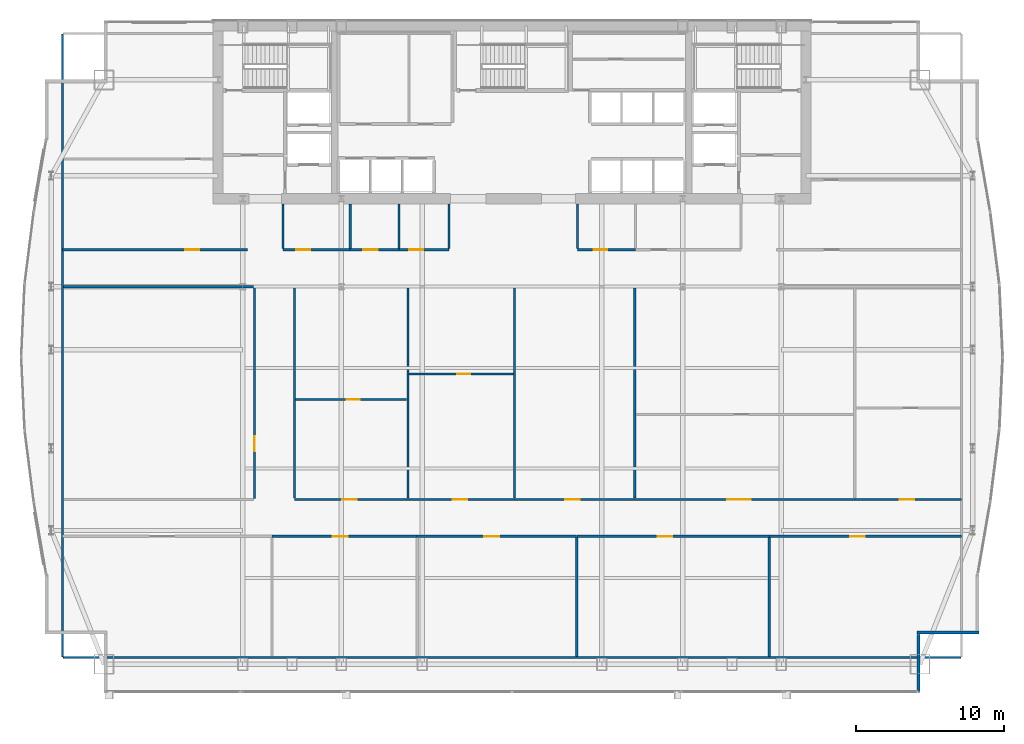
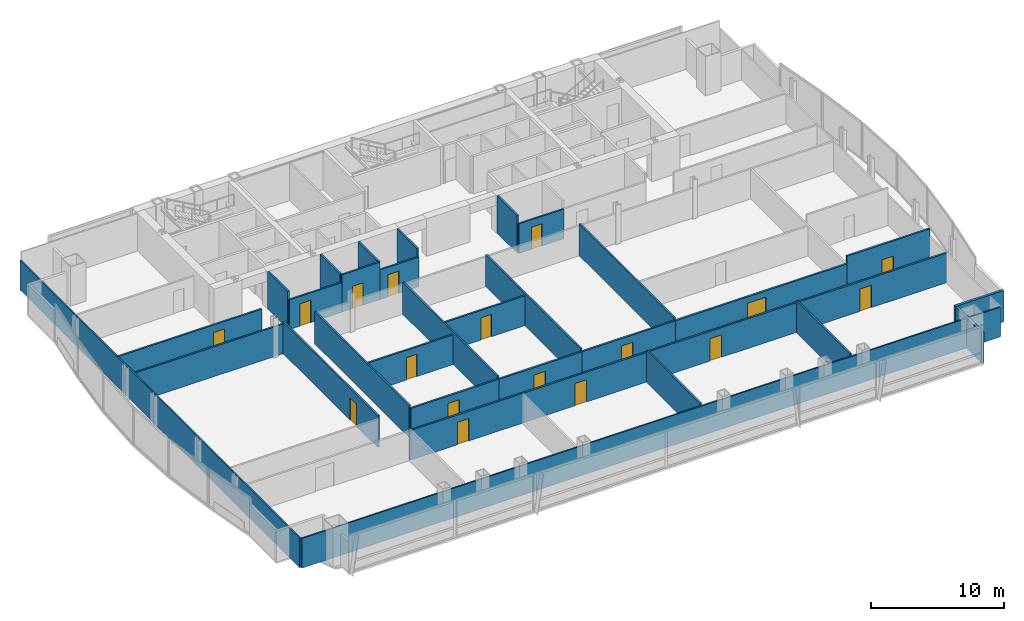
# One storey, part 24 of 29: 33 walls, 17 doors, 17 openings.
"""IFC4 building model written with IfcOpenShell, lengths in metres."""

from ifc_helpers import new_model, si_unit, direction, frame, frame_2d, origin, place, context, subcontext, project, spatial, rectangle, extrude, material, layer, layer_set, type_object, element, fill, save


model = new_model("IFC4")

# Units and contexts
model_context = context("Model", 3, precision=1e-05, world=origin(), true_north=direction((0.0, 1.0)))
body_context = subcontext(model_context, "Body", "Model", "MODEL_VIEW")
ifc_project = project(units=[si_unit("LENGTHUNIT", "METRE"), si_unit("AREAUNIT", "SQUARE_METRE"), si_unit("VOLUMEUNIT", "CUBIC_METRE"), si_unit("PLANEANGLEUNIT", "RADIAN"), si_unit("MASSUNIT", "GRAM", prefix="KILO")], contexts=[model_context])

# Site, building, storey
site_placement = place(None, origin())
site = spatial("IfcSite", under=ifc_project, at=site_placement, CompositionType="ELEMENT")
building_placement = place(site_placement, origin())
building = spatial("IfcBuilding", under=site, at=building_placement, Name="Khoronbel Lancet Exchange", CompositionType="ELEMENT")
storey_placement = place(building_placement, frame((0.0, 0.0, 150.60009765625)))
storey = spatial("IfcBuildingStorey", under=building, at=storey_placement, Name="L37", CompositionType="ELEMENT", Elevation=150.60009765625)

# Walls
ifc_material_1 = material(Name="Precast concrete C40/50", Category="concrete")
ifc_layer_1 = layer(ifc_material_1, 0.25, Name="Precast concrete C40/50")
ifc_layer_set_1 = layer_set([ifc_layer_1], Name="Precast concrete C40/50")
wall_type_1 = type_object("IfcWallType", Name="WL-EXT250", PredefinedType="SOLIDWALL", material=ifc_layer_set_1)
wall_1_placement = place(storey_placement, frame((68.070068359375, 12.2900390625, 0.0), z_axis=(0.0, 0.0, 1.0), x_axis=(-1.0, 0.0, 0.0)))
element("IfcWall", 1, at=wall_1_placement, inside=storey, type_object=wall_type_1, Name="Level L37 notched-corner limestone pier 24", PredefinedType="SOLIDWALL", context=body_context, shape_type="SweptSolid", body=[
    extrude(rectangle(XDim=4.219970703125, YDim=0.219970703125, at=frame_2d((2.10986328125, 0.0))), origin(), (0.0, 0.0, 1.0), 2.829833984375),
])
wall_2_placement = place(storey_placement, frame((63.9599609375, 12.179931640625, 0.0), z_axis=(0.0, 0.0, 1.0), x_axis=(0.0, -1.0, 0.0)))
element("IfcWall", 2, at=wall_2_placement, inside=storey, type_object=wall_type_1, Name="Level L37 notched-corner limestone pier 25", PredefinedType="SOLIDWALL", context=body_context, shape_type="SweptSolid", body=[
    extrude(rectangle(XDim=3.909912109375, YDim=0.219970703125, at=frame_2d((1.955078125, 0.0))), origin(), (0.0, 0.0, 1.0), 2.829833984375),
])
ifc_material_2 = material(Name="Acoustic Metal-Stud & Mineral-Wool Gypsum Partition 120 mm", Category="gypsum")
ifc_layer_2 = layer(ifc_material_2, 0.1201171875, Name="Acoustic Metal-Stud & Mineral-Wool Gypsum Partition 120 mm")
ifc_layer_set_2 = layer_set([ifc_layer_2], Name="Acoustic Metal-Stud & Mineral-Wool Gypsum Partition 120 mm")
wall_type_2 = type_object("IfcWallType", Name="WL-PRT120", PredefinedType="PARTITIONING", material=ifc_layer_set_2)
for number, where, z_axis, x_axis, name in (
    (3, (20.949951171875, 38.280029296875, 0.0), (0.0, 0.0, 1.0), (0.0, 1.0, 0.0), "Level L37 interior partition PW-WC-0"),
    (4, (25.5, 38.280029296875, 0.0), (0.0, 0.0, 1.0), (0.0, 1.0, 0.0), "Level L37 interior partition PW-WC-1"),
    (5, (28.800048828125, 38.280029296875, 0.0), (0.0, 0.0, 1.0), (0.0, 1.0, 0.0), "Level L37 interior partition PW-WC-2"),
    (6, (32.179931640625, 38.280029296875, 0.0), (0.0, 0.0, 1.0), (0.0, 1.0, 0.0), "Level L37 interior partition PW-WC-3"),
    (7, (40.8798828125, 38.280029296875, 0.0), (0.0, 0.0, 1.0), (0.0, 1.0, 0.0), "Level L37 interior partition PW-NP-0"),
):
    element("IfcWall", number, at=place(storey_placement, frame(where, z_axis=z_axis, x_axis=x_axis)), inside=storey, type_object=wall_type_2, Name=name, PredefinedType="PARTITIONING", context=body_context, shape_type="SweptSolid", body=[
        extrude(rectangle(XDim=3.02001953125, YDim=0.14990234375, at=frame_2d((1.510009765625, 0.0))), origin(), (0.0, 0.0, 1.0), 3.43994140625),
    ])

# Wall, opening, door
wall_3_placement = place(storey_placement, frame((21.81005859375, 28.068115234375, 0.0), z_axis=(0.0, 0.0, 1.0), x_axis=(1.0, 0.0, 0.0)))
wall_3 = element("IfcWall", 8, at=wall_3_placement, inside=storey, type_object=wall_type_2, Name="Level L37 interior partition PW-Z2N-H1", PredefinedType="PARTITIONING", context=body_context, shape_type="SweptSolid", body=[
    extrude(rectangle(XDim=7.513671875, YDim=0.14990234375, at=frame_2d((3.7568359375, 0.0))), origin(), (0.0, 0.0, 1.0), 2.72998046875),
])
opening_1_placement = place(wall_3_placement, frame((3.453125, 0.0, 0.0)))
opening_1 = element("IfcOpeningElement", 9, at=opening_1_placement, cuts=wall_3, Name="Opening D5", PredefinedType="OPENING", context=body_context, shape_type="SweptSolid", body=[
    extrude(rectangle(XDim=0.89990234375, YDim=2.050048828125, at=frame_2d((0.449951171875, 1.02490234375))), frame((0.0, 0.0849609375, 0.0), z_axis=(0.0, -1.0, 0.0), x_axis=(1.0, 0.0, 0.0)), (0.0, 0.0, 1.0), 0.169921875),
])
ifc_material_3 = material(Name="Acoustic Timber Pantry & Support Door", Category="wood")
door_type_1 = type_object("IfcDoorType", Name="DR-D5", OperationType="NOTDEFINED", PredefinedType="DOOR", material=ifc_material_3)
door_1_placement = place(opening_1_placement, origin())
door_1 = element("IfcDoor", 10, at=door_1_placement, inside=storey, type_object=door_type_1, Name="Z2N inner door 1 L37-1", OperationType="SINGLE_SWING_RIGHT", OverallHeight=2.050048828125, OverallWidth=0.89990234375, PredefinedType="DOOR", context=body_context, shape_type="SweptSolid", body=[
    extrude(rectangle(XDim=0.89990234375, YDim=2.050048828125, at=frame_2d((0.449951171875, 1.02490234375))), frame((0.0, 0.02490234375, 0.0), z_axis=(0.0, -1.0, 0.0), x_axis=(1.0, 0.0, 0.0)), (0.0, 0.0, 1.0), 0.050048828125),
])
fill(opening_1, door_1)

wall_4_placement = place(storey_placement, frame((29.48388671875, 29.7958984375, 0.0), z_axis=(0.0, 0.0, 1.0), x_axis=(1.0, 0.0, 0.0)))
wall_4 = element("IfcWall", 11, at=wall_4_placement, inside=storey, type_object=wall_type_2, Name="Level L37 interior partition PW-Z2N-H2", PredefinedType="PARTITIONING", context=body_context, shape_type="SweptSolid", body=[
    extrude(rectangle(XDim=7.062255859375, YDim=0.14990234375, at=frame_2d((3.53125, 0.0))), origin(), (0.0, 0.0, 1.0), 2.72998046875),
])
opening_2_placement = place(wall_4_placement, frame((3.25, 0.0, 0.0)))
opening_2 = element("IfcOpeningElement", 12, at=opening_2_placement, cuts=wall_4, Name="Opening D5", PredefinedType="OPENING", context=body_context, shape_type="SweptSolid", body=[
    extrude(rectangle(XDim=0.89990234375, YDim=2.050048828125, at=frame_2d((0.449951171875, 1.02490234375))), frame((0.0, 0.0849609375, 0.0), z_axis=(0.0, -1.0, 0.0), x_axis=(1.0, 0.0, 0.0)), (0.0, 0.0, 1.0), 0.169921875),
])
door_2_placement = place(opening_2_placement, origin())
door_2 = element("IfcDoor", 13, at=door_2_placement, inside=storey, type_object=door_type_1, Name="Z2N inner door 2 L37-1", OperationType="SINGLE_SWING_RIGHT", OverallHeight=2.050048828125, OverallWidth=0.89990234375, PredefinedType="DOOR", context=body_context, shape_type="SweptSolid", body=[
    extrude(rectangle(XDim=0.89990234375, YDim=2.050048828125, at=frame_2d((0.449951171875, 1.02490234375))), frame((0.0, 0.02490234375, 0.0), z_axis=(0.0, -1.0, 0.0), x_axis=(1.0, 0.0, 0.0)), (0.0, 0.0, 1.0), 0.050048828125),
])
fill(opening_2, door_2)

# Walls
wall_5_placement = place(storey_placement, frame((6.030029296875, 10.6650390625, 0.0), z_axis=(0.0, 0.0, 1.0), x_axis=(0.0, 1.0, 0.0)))
element("IfcWall", 14, at=wall_5_placement, inside=storey, type_object=wall_type_2, Name="Level L37 interior partition PW-LIN-W", PredefinedType="PARTITIONING", context=body_context, shape_type="SweptSolid", body=[
    extrude(rectangle(XDim=42.10986328125, YDim=0.1201171875, at=frame_2d((21.054931640625, 0.0))), origin(), (0.0, 0.0, 1.0), 2.72998046875),
])
wall_6_placement = place(storey_placement, frame((6.094970703125, 10.60009765625, 0.0), z_axis=(0.0, 0.0, 1.0), x_axis=(1.0, 0.0, 0.0)))
element("IfcWall", 15, at=wall_6_placement, inside=storey, type_object=wall_type_2, Name="Level L37 interior partition PW-LIN-S", PredefinedType="PARTITIONING", context=body_context, shape_type="SweptSolid", body=[
    extrude(rectangle(XDim=60.7099609375, YDim=0.1201171875, at=frame_2d((30.35498046875, 0.0))), origin(), (0.0, 0.0, 1.0), 2.72998046875),
])

# Wall, opening, door
ifc_material_4 = material(Name="Fire-Rated Twin-Stud Acoustic Gypsum Partition 150 mm", Category="gypsum")
ifc_layer_3 = layer(ifc_material_4, 0.14990234375, Name="Fire-Rated Twin-Stud Acoustic Gypsum Partition 150 mm")
ifc_layer_set_3 = layer_set([ifc_layer_3], Name="Fire-Rated Twin-Stud Acoustic Gypsum Partition 150 mm")
wall_type_3 = type_object("IfcWallType", Name="WL-PRT150C", PredefinedType="PARTITIONING", material=ifc_layer_set_3)
wall_7_placement = place(storey_placement, frame((20.949951171875, 38.199951171875, 0.0), z_axis=(0.0, 0.0, 1.0), x_axis=(1.0, 0.0, 0.0)))
wall_7 = element("IfcWall", 16, at=wall_7_placement, inside=storey, type_object=wall_type_3, Name="Level L37 interior partition PW-WC-S1", PredefinedType="PARTITIONING", context=body_context, shape_type="SweptSolid", body=[
    extrude(rectangle(XDim=4.550048828125, YDim=0.14990234375, at=frame_2d((2.27490234375, 0.0))), origin(), (0.0, 0.0, 1.0), 2.72998046875),
])
opening_3_placement = place(wall_7_placement, frame((0.89990234375, 0.0, 0.0)))
opening_3 = element("IfcOpeningElement", 17, at=opening_3_placement, cuts=wall_7, Name="Opening D4", PredefinedType="OPENING", context=body_context, shape_type="SweptSolid", body=[
    extrude(rectangle(XDim=0.949951171875, YDim=2.050048828125, at=frame_2d((0.47509765625, 1.02490234375))), frame((0.0, 0.0849609375, 0.0), z_axis=(0.0, -1.0, 0.0), x_axis=(1.0, 0.0, 0.0)), (0.0, 0.0, 1.0), 0.169921875),
])
ifc_material_5 = material(Name="Moisture-Resistant HPL Washroom Door", Category="wood")
door_type_2 = type_object("IfcDoorType", Name="DR-D4", OperationType="NOTDEFINED", PredefinedType="DOOR", material=ifc_material_5)
door_3_placement = place(opening_3_placement, origin())
door_3 = element("IfcDoor", 18, at=door_3_placement, inside=storey, type_object=door_type_2, Name="Male washroom door L37-1", OperationType="SINGLE_SWING_LEFT", OverallHeight=2.050048828125, OverallWidth=0.949951171875, PredefinedType="DOOR", context=body_context, shape_type="SweptSolid", body=[
    extrude(rectangle(XDim=0.949951171875, YDim=2.050048828125, at=frame_2d((0.47509765625, 1.02490234375))), frame((0.0, 0.02490234375, 0.0), z_axis=(0.0, -1.0, 0.0), x_axis=(1.0, 0.0, 0.0)), (0.0, 0.0, 1.0), 0.050048828125),
])
fill(opening_3, door_3)

wall_8_placement = place(storey_placement, frame((25.5, 38.199951171875, 0.0), z_axis=(0.0, 0.0, 1.0), x_axis=(1.0, 0.0, 0.0)))
wall_8 = element("IfcWall", 19, at=wall_8_placement, inside=storey, type_object=wall_type_3, Name="Level L37 interior partition PW-WC-S2", PredefinedType="PARTITIONING", context=body_context, shape_type="SweptSolid", body=[
    extrude(rectangle(XDim=3.300048828125, YDim=0.14990234375, at=frame_2d((1.64990234375, 0.0))), origin(), (0.0, 0.0, 1.0), 3.43994140625),
])
opening_4_placement = place(wall_8_placement, frame((0.89990234375, 0.0, 0.0)))
opening_4 = element("IfcOpeningElement", 20, at=opening_4_placement, cuts=wall_8, Name="Opening D4", PredefinedType="OPENING", context=body_context, shape_type="SweptSolid", body=[
    extrude(rectangle(XDim=0.949951171875, YDim=2.050048828125, at=frame_2d((0.47509765625, 1.02490234375))), frame((0.0, 0.0849609375, 0.0), z_axis=(0.0, -1.0, 0.0), x_axis=(1.0, 0.0, 0.0)), (0.0, 0.0, 1.0), 0.169921875),
])
door_4_placement = place(opening_4_placement, origin())
door_4 = element("IfcDoor", 21, at=door_4_placement, inside=storey, type_object=door_type_2, Name="Female washroom door L37-1", OperationType="SINGLE_SWING_RIGHT", OverallHeight=2.050048828125, OverallWidth=0.949951171875, PredefinedType="DOOR", context=body_context, shape_type="SweptSolid", body=[
    extrude(rectangle(XDim=0.949951171875, YDim=2.050048828125, at=frame_2d((0.47509765625, 1.02490234375))), frame((0.0, 0.02490234375, 0.0), z_axis=(0.0, -1.0, 0.0), x_axis=(1.0, 0.0, 0.0)), (0.0, 0.0, 1.0), 0.050048828125),
])
fill(opening_4, door_4)

wall_9_placement = place(storey_placement, frame((28.800048828125, 38.199951171875, 0.0), z_axis=(0.0, 0.0, 1.0), x_axis=(1.0, 0.0, 0.0)))
wall_9 = element("IfcWall", 22, at=wall_9_placement, inside=storey, type_object=wall_type_3, Name="Level L37 interior partition PW-WC-S3", PredefinedType="PARTITIONING", context=body_context, shape_type="SweptSolid", body=[
    extrude(rectangle(XDim=3.3798828125, YDim=0.14990234375, at=frame_2d((1.68994140625, 0.0))), origin(), (0.0, 0.0, 1.0), 2.72998046875),
])
opening_5_placement = place(wall_9_placement, frame((0.699951171875, 0.0, 0.0)))
opening_5 = element("IfcOpeningElement", 23, at=opening_5_placement, cuts=wall_9, Name="Opening D4", PredefinedType="OPENING", context=body_context, shape_type="SweptSolid", body=[
    extrude(rectangle(XDim=0.949951171875, YDim=2.050048828125, at=frame_2d((0.47509765625, 1.02490234375))), frame((0.0, 0.0849609375, 0.0), z_axis=(0.0, -1.0, 0.0), x_axis=(1.0, 0.0, 0.0)), (0.0, 0.0, 1.0), 0.169921875),
])
door_5_placement = place(opening_5_placement, origin())
door_5 = element("IfcDoor", 24, at=door_5_placement, inside=storey, type_object=door_type_2, Name="Accessible WC door L37-1", OperationType="SINGLE_SWING_LEFT", OverallHeight=2.050048828125, OverallWidth=0.949951171875, PredefinedType="DOOR", context=body_context, shape_type="SweptSolid", body=[
    extrude(rectangle(XDim=0.949951171875, YDim=2.050048828125, at=frame_2d((0.47509765625, 1.02490234375))), frame((0.0, 0.02490234375, 0.0), z_axis=(0.0, -1.0, 0.0), x_axis=(1.0, 0.0, 0.0)), (0.0, 0.0, 1.0), 0.050048828125),
])
fill(opening_5, door_5)

wall_10_placement = place(storey_placement, frame((40.8798828125, 38.199951171875, 0.0), z_axis=(0.0, 0.0, 1.0), x_axis=(1.0, 0.0, 0.0)))
wall_10 = element("IfcWall", 25, at=wall_10_placement, inside=storey, type_object=wall_type_3, Name="Level L37 interior partition PW-NP-S1", PredefinedType="PARTITIONING", context=body_context, shape_type="SweptSolid", body=[
    extrude(rectangle(XDim=3.920166015625, YDim=0.14990234375, at=frame_2d((1.9599609375, 0.0))), origin(), (0.0, 0.0, 1.0), 2.72998046875),
])
opening_6_placement = place(wall_10_placement, frame((1.10009765625, 0.0, 0.0)))
opening_6 = element("IfcOpeningElement", 26, at=opening_6_placement, cuts=wall_10, Name="Opening D5", PredefinedType="OPENING", context=body_context, shape_type="SweptSolid", body=[
    extrude(rectangle(XDim=0.89990234375, YDim=2.050048828125, at=frame_2d((0.449951171875, 1.02490234375))), frame((0.0, 0.0849609375, 0.0), z_axis=(0.0, -1.0, 0.0), x_axis=(1.0, 0.0, 0.0)), (0.0, 0.0, 1.0), 0.169921875),
])
door_6_placement = place(opening_6_placement, origin())
door_6 = element("IfcDoor", 27, at=door_6_placement, inside=storey, type_object=door_type_1, Name="Floor refreshment pantry door L37-1", OperationType="SINGLE_SWING_RIGHT", OverallHeight=2.050048828125, OverallWidth=0.89990234375, PredefinedType="DOOR", context=body_context, shape_type="SweptSolid", body=[
    extrude(rectangle(XDim=0.89990234375, YDim=2.050048828125, at=frame_2d((0.449951171875, 1.02490234375))), frame((0.0, 0.02490234375, 0.0), z_axis=(0.0, -1.0, 0.0), x_axis=(1.0, 0.0, 0.0)), (0.0, 0.0, 1.0), 0.050048828125),
])
fill(opening_6, door_6)

wall_11_placement = place(storey_placement, frame((6.030029296875, 38.199951171875, 0.0), z_axis=(0.0, 0.0, 1.0), x_axis=(1.0, 0.0, 0.0)))
wall_11 = element("IfcWall", 28, at=wall_11_placement, inside=storey, type_object=wall_type_3, Name="Level L37 interior partition PW-NW-S", PredefinedType="PARTITIONING", context=body_context, shape_type="SweptSolid", body=[
    extrude(rectangle(XDim=12.52001953125, YDim=0.14990234375, at=frame_2d((6.260009765625, 0.0))), origin(), (0.0, 0.0, 1.0), 2.72998046875),
])
opening_7_placement = place(wall_11_placement, frame((8.320068359375, 0.0, 0.0)))
opening_7 = element("IfcOpeningElement", 29, at=opening_7_placement, cuts=wall_11, Name="Opening D1", PredefinedType="OPENING", context=body_context, shape_type="SweptSolid", body=[
    extrude(rectangle(XDim=0.949951171875, YDim=2.050048828125, at=frame_2d((0.47509765625, 1.02490234375))), frame((0.0, 0.0849609375, 0.0), z_axis=(0.0, -1.0, 0.0), x_axis=(1.0, 0.0, 0.0)), (0.0, 0.0, 1.0), 0.169921875),
])
ifc_material_6 = material(Name="Acoustic Veneered Timber & Bronze Frame Door", Category="wood")
door_type_3 = type_object("IfcDoorType", Name="DR-D1", OperationType="NOTDEFINED", PredefinedType="DOOR", material=ifc_material_6)
door_7_placement = place(opening_7_placement, origin())
door_7 = element("IfcDoor", 30, at=door_7_placement, inside=storey, type_object=door_type_3, Name="NW corner room door L37-1", OperationType="SINGLE_SWING_RIGHT", OverallHeight=2.050048828125, OverallWidth=0.949951171875, PredefinedType="DOOR", context=body_context, shape_type="SweptSolid", body=[
    extrude(rectangle(XDim=0.949951171875, YDim=2.050048828125, at=frame_2d((0.47509765625, 1.02490234375))), frame((0.0, 0.02490234375, 0.0), z_axis=(0.0, -1.0, 0.0), x_axis=(1.0, 0.0, 0.0)), (0.0, 0.0, 1.0), 0.050048828125),
])
fill(opening_7, door_7)

# Walls
for number, where, z_axis, x_axis, name in (
    (31, (40.83203125, 10.6650390625, 0.0), (0.0, 0.0, 1.0), (0.0, 1.0, 0.0), "Level L37 interior partition PW-Z2S-V3"),
    (32, (53.86376953125, 10.6650390625, 0.0), (0.0, 0.0, 1.0), (0.0, 1.0, 0.0), "Level L37 interior partition PW-Z2S-V4"),
):
    element("IfcWall", number, at=place(storey_placement, frame(where, z_axis=z_axis, x_axis=x_axis)), inside=storey, type_object=wall_type_3, Name=name, PredefinedType="PARTITIONING", context=body_context, shape_type="SweptSolid", body=[
        extrude(rectangle(XDim=8.050048828125, YDim=0.14990234375, at=frame_2d((4.02490234375, 0.0))), origin(), (0.0, 0.0, 1.0), 2.929931640625),
    ])

# Wall, opening, door
wall_12_placement = place(storey_placement, frame((19.02001953125, 21.3798828125, 0.0), z_axis=(0.0, 0.0, 1.0), x_axis=(0.0, 1.0, 0.0)))
wall_12 = element("IfcWall", 33, at=wall_12_placement, inside=storey, type_object=wall_type_3, Name="Level L37 interior partition PW-Z2-WLK", PredefinedType="PARTITIONING", context=body_context, shape_type="SweptSolid", body=[
    extrude(rectangle(XDim=14.240234375, YDim=0.14990234375, at=frame_2d((7.1201171875, 0.0))), origin(), (0.0, 0.0, 1.0), 2.929931640625),
])
opening_8_placement = place(wall_12_placement, frame((3.199951171875, 0.0, 0.0)))
opening_8 = element("IfcOpeningElement", 34, at=opening_8_placement, cuts=wall_12, Name="Opening D2", PredefinedType="OPENING", context=body_context, shape_type="SweptSolid", body=[
    extrude(rectangle(XDim=1.0, YDim=2.050048828125, at=frame_2d((0.5, 1.02490234375))), frame((0.0, 0.0849609375, 0.0), z_axis=(0.0, -1.0, 0.0), x_axis=(1.0, 0.0, 0.0)), (0.0, 0.0, 1.0), 0.169921875),
])
door_type_4 = type_object("IfcDoorType", Name="DR-D2", OperationType="NOTDEFINED", PredefinedType="DOOR", material=ifc_material_6)
door_8_placement = place(opening_8_placement, origin())
door_8 = element("IfcDoor", 35, at=door_8_placement, inside=storey, type_object=door_type_4, Name="West mid-band room door L37-1", OperationType="SINGLE_SWING_RIGHT", OverallHeight=2.050048828125, OverallWidth=1.0, PredefinedType="DOOR", context=body_context, shape_type="SweptSolid", body=[
    extrude(rectangle(XDim=1.0, YDim=2.050048828125, at=frame_2d((0.5, 1.02490234375))), frame((0.0, 0.02490234375, 0.0), z_axis=(0.0, -1.0, 0.0), x_axis=(1.0, 0.0, 0.0)), (0.0, 0.0, 1.0), 0.050048828125),
])
fill(opening_8, door_8)

# Walls
wall_13_placement = place(storey_placement, frame((6.094970703125, 35.699951171875, 0.0), z_axis=(0.0, 0.0, 1.0), x_axis=(1.0, 0.0, 0.0)))
element("IfcWall", 36, at=wall_13_placement, inside=storey, type_object=wall_type_3, Name="Level L37 interior partition PW-Z2-WN", PredefinedType="PARTITIONING", context=body_context, shape_type="SweptSolid", body=[
    extrude(rectangle(XDim=12.844970703125, YDim=0.14990234375, at=frame_2d((6.42236328125, 0.0))), origin(), (0.0, 0.0, 1.0), 2.72998046875),
])
for number, where, z_axis, x_axis, name in (
    (37, (21.72998046875, 21.385009765625, 0.0), (0.0, 0.0, 1.0), (0.0, 1.0, 0.0), "Level L37 interior partition PW-Z2-ELK"),
    (38, (29.40380859375, 21.385009765625, 0.0), (0.0, 0.0, 1.0), (0.0, 1.0, 0.0), "Level L37 interior partition PW-Z2N-V1"),
    (39, (36.626220703125, 21.385009765625, 0.0), (0.0, 0.0, 1.0), (0.0, 1.0, 0.0), "Level L37 interior partition PW-Z2N-V2"),
    (40, (44.75146484375, 21.385009765625, 0.0), (0.0, 0.0, 1.0), (0.0, 1.0, 0.0), "Level L37 interior partition PW-Z2N-V3"),
):
    element("IfcWall", number, at=place(storey_placement, frame(where, z_axis=z_axis, x_axis=x_axis)), inside=storey, type_object=wall_type_3, Name=name, PredefinedType="PARTITIONING", context=body_context, shape_type="SweptSolid", body=[
        extrude(rectangle(XDim=14.235107421875, YDim=0.14990234375, at=frame_2d((7.11767578125, 0.0))), origin(), (0.0, 0.0, 1.0), 2.929931640625),
    ])

# Wall, opening, door
ifc_material_7 = material(Name="Fire-Rated Twin-Stud Acoustic Gypsum Partition 160 mm", Category="gypsum")
ifc_layer_4 = layer(ifc_material_7, 0.159912109375, Name="Fire-Rated Twin-Stud Acoustic Gypsum Partition 160 mm")
ifc_layer_set_4 = layer_set([ifc_layer_4], Name="Fire-Rated Twin-Stud Acoustic Gypsum Partition 160 mm")
wall_type_4 = type_object("IfcWallType", Name="WL-PRT160C", PredefinedType="PARTITIONING", material=ifc_layer_set_4)
wall_14_placement = place(storey_placement, frame((20.204833984375, 18.800048828125, 0.0), z_axis=(0.0, 0.0, 1.0), x_axis=(1.0, 0.0, 0.0)))
wall_14 = element("IfcWall", 41, at=wall_14_placement, inside=storey, type_object=wall_type_4, Name="Level L37 interior partition PW-Z2S-COR2", PredefinedType="PARTITIONING", context=body_context, shape_type="SweptSolid", body=[
    extrude(rectangle(XDim=9.8310546875, YDim=0.159912109375, at=frame_2d((4.91552734375, 0.0))), origin(), (0.0, 0.0, 1.0), 2.72998046875),
])
opening_9_placement = place(wall_14_placement, frame((4.12890625, 0.0, 0.0)))
opening_9 = element("IfcOpeningElement", 42, at=opening_9_placement, cuts=wall_14, Name="Opening D2", PredefinedType="OPENING", context=body_context, shape_type="SweptSolid", body=[
    extrude(rectangle(XDim=1.0, YDim=2.050048828125, at=frame_2d((0.5, 1.02490234375))), frame((0.0, 0.08984375, 0.0), z_axis=(0.0, -1.0, 0.0), x_axis=(1.0, 0.0, 0.0)), (0.0, 0.0, 1.0), 0.179931640625),
])
door_9_placement = place(opening_9_placement, origin())
door_9 = element("IfcDoor", 43, at=door_9_placement, inside=storey, type_object=door_type_4, Name="Z2S bay 2 door L37-1", OperationType="SINGLE_SWING_RIGHT", OverallHeight=2.050048828125, OverallWidth=1.0, PredefinedType="DOOR", context=body_context, shape_type="SweptSolid", body=[
    extrude(rectangle(XDim=1.0, YDim=2.050048828125, at=frame_2d((0.5, 1.02490234375))), frame((0.0, 0.02490234375, 0.0), z_axis=(0.0, -1.0, 0.0), x_axis=(1.0, 0.0, 0.0)), (0.0, 0.0, 1.0), 0.050048828125),
])
fill(opening_9, door_9)

wall_15_placement = place(storey_placement, frame((30.035888671875, 18.800048828125, 0.0), z_axis=(0.0, 0.0, 1.0), x_axis=(1.0, 0.0, 0.0)))
wall_15 = element("IfcWall", 44, at=wall_15_placement, inside=storey, type_object=wall_type_4, Name="Level L37 interior partition PW-Z2S-COR3", PredefinedType="PARTITIONING", context=body_context, shape_type="SweptSolid", body=[
    extrude(rectangle(XDim=10.796142578125, YDim=0.159912109375, at=frame_2d((5.39794921875, 0.0))), origin(), (0.0, 0.0, 1.0), 2.72998046875),
])
opening_10_placement = place(wall_15_placement, frame((4.534423828125, 0.0, 0.0)))
opening_10 = element("IfcOpeningElement", 45, at=opening_10_placement, cuts=wall_15, Name="Opening D2", PredefinedType="OPENING", context=body_context, shape_type="SweptSolid", body=[
    extrude(rectangle(XDim=1.0, YDim=2.050048828125, at=frame_2d((0.5, 1.02490234375))), frame((0.0, 0.08984375, 0.0), z_axis=(0.0, -1.0, 0.0), x_axis=(1.0, 0.0, 0.0)), (0.0, 0.0, 1.0), 0.179931640625),
])
door_10_placement = place(opening_10_placement, origin())
door_10 = element("IfcDoor", 46, at=door_10_placement, inside=storey, type_object=door_type_4, Name="Z2S bay 3 door L37-1", OperationType="SINGLE_SWING_LEFT", OverallHeight=2.050048828125, OverallWidth=1.0, PredefinedType="DOOR", context=body_context, shape_type="SweptSolid", body=[
    extrude(rectangle(XDim=1.0, YDim=2.050048828125, at=frame_2d((0.5, 1.02490234375))), frame((0.0, 0.02490234375, 0.0), z_axis=(0.0, -1.0, 0.0), x_axis=(1.0, 0.0, 0.0)), (0.0, 0.0, 1.0), 0.050048828125),
])
fill(opening_10, door_10)

wall_16_placement = place(storey_placement, frame((40.83203125, 18.800048828125, 0.0), z_axis=(0.0, 0.0, 1.0), x_axis=(1.0, 0.0, 0.0)))
wall_16 = element("IfcWall", 47, at=wall_16_placement, inside=storey, type_object=wall_type_4, Name="Level L37 interior partition PW-Z2S-COR4", PredefinedType="PARTITIONING", context=body_context, shape_type="SweptSolid", body=[
    extrude(rectangle(XDim=13.03173828125, YDim=0.159912109375, at=frame_2d((6.515869140625, 0.0))), origin(), (0.0, 0.0, 1.0), 2.72998046875),
])
opening_11_placement = place(wall_16_placement, frame((5.473388671875, 0.0, 0.0)))
opening_11 = element("IfcOpeningElement", 48, at=opening_11_placement, cuts=wall_16, Name="Opening D2", PredefinedType="OPENING", context=body_context, shape_type="SweptSolid", body=[
    extrude(rectangle(XDim=1.0, YDim=2.050048828125, at=frame_2d((0.5, 1.02490234375))), frame((0.0, 0.08984375, 0.0), z_axis=(0.0, -1.0, 0.0), x_axis=(1.0, 0.0, 0.0)), (0.0, 0.0, 1.0), 0.179931640625),
])
door_11_placement = place(opening_11_placement, origin())
door_11 = element("IfcDoor", 49, at=door_11_placement, inside=storey, type_object=door_type_4, Name="Z2S bay 4 door L37-1", OperationType="SINGLE_SWING_RIGHT", OverallHeight=2.050048828125, OverallWidth=1.0, PredefinedType="DOOR", context=body_context, shape_type="SweptSolid", body=[
    extrude(rectangle(XDim=1.0, YDim=2.050048828125, at=frame_2d((0.5, 1.02490234375))), frame((0.0, 0.02490234375, 0.0), z_axis=(0.0, -1.0, 0.0), x_axis=(1.0, 0.0, 0.0)), (0.0, 0.0, 1.0), 0.050048828125),
])
fill(opening_11, door_11)

wall_17_placement = place(storey_placement, frame((53.86376953125, 18.800048828125, 0.0), z_axis=(0.0, 0.0, 1.0), x_axis=(1.0, 0.0, 0.0)))
wall_17 = element("IfcWall", 50, at=wall_17_placement, inside=storey, type_object=wall_type_4, Name="Level L37 interior partition PW-Z2S-COR5", PredefinedType="PARTITIONING", context=body_context, shape_type="SweptSolid", body=[
    extrude(rectangle(XDim=13.00634765625, YDim=0.159912109375, at=frame_2d((6.503173828125, 0.0))), origin(), (0.0, 0.0, 1.0), 2.72998046875),
])
opening_12_placement = place(wall_17_placement, frame((5.462646484375, 0.0, 0.0)))
opening_12 = element("IfcOpeningElement", 51, at=opening_12_placement, cuts=wall_17, Name="Opening D2", PredefinedType="OPENING", context=body_context, shape_type="SweptSolid", body=[
    extrude(rectangle(XDim=1.0, YDim=2.050048828125, at=frame_2d((0.5, 1.02490234375))), frame((0.0, 0.08984375, 0.0), z_axis=(0.0, -1.0, 0.0), x_axis=(1.0, 0.0, 0.0)), (0.0, 0.0, 1.0), 0.179931640625),
])
door_12_placement = place(opening_12_placement, origin())
door_12 = element("IfcDoor", 52, at=door_12_placement, inside=storey, type_object=door_type_4, Name="Z2S bay 5 door L37-1", OperationType="SINGLE_SWING_LEFT", OverallHeight=2.050048828125, OverallWidth=1.0, PredefinedType="DOOR", context=body_context, shape_type="SweptSolid", body=[
    extrude(rectangle(XDim=1.0, YDim=2.050048828125, at=frame_2d((0.5, 1.02490234375))), frame((0.0, 0.02490234375, 0.0), z_axis=(0.0, -1.0, 0.0), x_axis=(1.0, 0.0, 0.0)), (0.0, 0.0, 1.0), 0.050048828125),
])
fill(opening_12, door_12)

wall_18_placement = place(storey_placement, frame((21.72998046875, 21.300048828125, 0.0), z_axis=(0.0, 0.0, 1.0), x_axis=(1.0, 0.0, 0.0)))
wall_18 = element("IfcWall", 53, at=wall_18_placement, inside=storey, type_object=wall_type_4, Name="Level L37 interior partition PW-Z2N-COR1", PredefinedType="PARTITIONING", context=body_context, shape_type="SweptSolid", body=[
    extrude(rectangle(XDim=7.673828125, YDim=0.159912109375, at=frame_2d((3.8369140625, 0.0))), origin(), (0.0, 0.0, 1.0), 2.72998046875),
])
opening_13_placement = place(wall_18_placement, frame((3.222900390625, 0.0, 0.0)))
opening_13 = element("IfcOpeningElement", 54, at=opening_13_placement, cuts=wall_18, Name="Opening D2", PredefinedType="OPENING", context=body_context, shape_type="SweptSolid", body=[
    extrude(rectangle(XDim=1.0, YDim=2.050048828125, at=frame_2d((0.5, 1.02490234375))), frame((0.0, 0.08984375, 0.0), z_axis=(0.0, -1.0, 0.0), x_axis=(1.0, 0.0, 0.0)), (0.0, 0.0, 1.0), 0.179931640625),
])
door_13_placement = place(opening_13_placement, origin())
door_13 = element("IfcDoor", 55, at=door_13_placement, inside=storey, type_object=door_type_4, Name="Z2N bay 1 door L37-1", OperationType="SINGLE_SWING_LEFT", OverallHeight=2.050048828125, OverallWidth=1.0, PredefinedType="DOOR", context=body_context, shape_type="SweptSolid", body=[
    extrude(rectangle(XDim=1.0, YDim=2.050048828125, at=frame_2d((0.5, 1.02490234375))), frame((0.0, 0.02490234375, 0.0), z_axis=(0.0, -1.0, 0.0), x_axis=(1.0, 0.0, 0.0)), (0.0, 0.0, 1.0), 0.050048828125),
])
fill(opening_13, door_13)

wall_19_placement = place(storey_placement, frame((29.40380859375, 21.300048828125, 0.0), z_axis=(0.0, 0.0, 1.0), x_axis=(1.0, 0.0, 0.0)))
wall_19 = element("IfcWall", 56, at=wall_19_placement, inside=storey, type_object=wall_type_4, Name="Level L37 interior partition PW-Z2N-COR2", PredefinedType="PARTITIONING", context=body_context, shape_type="SweptSolid", body=[
    extrude(rectangle(XDim=7.222412109375, YDim=0.159912109375, at=frame_2d((3.611328125, 0.0))), origin(), (0.0, 0.0, 1.0), 2.72998046875),
])
opening_14_placement = place(wall_19_placement, frame((3.033447265625, 0.0, 0.0)))
opening_14 = element("IfcOpeningElement", 57, at=opening_14_placement, cuts=wall_19, Name="Opening D2", PredefinedType="OPENING", context=body_context, shape_type="SweptSolid", body=[
    extrude(rectangle(XDim=1.0, YDim=2.050048828125, at=frame_2d((0.5, 1.02490234375))), frame((0.0, 0.08984375, 0.0), z_axis=(0.0, -1.0, 0.0), x_axis=(1.0, 0.0, 0.0)), (0.0, 0.0, 1.0), 0.179931640625),
])
door_14_placement = place(opening_14_placement, origin())
door_14 = element("IfcDoor", 58, at=door_14_placement, inside=storey, type_object=door_type_4, Name="Z2N bay 2 door L37-1", OperationType="SINGLE_SWING_LEFT", OverallHeight=2.050048828125, OverallWidth=1.0, PredefinedType="DOOR", context=body_context, shape_type="SweptSolid", body=[
    extrude(rectangle(XDim=1.0, YDim=2.050048828125, at=frame_2d((0.5, 1.02490234375))), frame((0.0, 0.02490234375, 0.0), z_axis=(0.0, -1.0, 0.0), x_axis=(1.0, 0.0, 0.0)), (0.0, 0.0, 1.0), 0.050048828125),
])
fill(opening_14, door_14)

wall_20_placement = place(storey_placement, frame((36.626220703125, 21.300048828125, 0.0), z_axis=(0.0, 0.0, 1.0), x_axis=(1.0, 0.0, 0.0)))
wall_20 = element("IfcWall", 59, at=wall_20_placement, inside=storey, type_object=wall_type_4, Name="Level L37 interior partition PW-Z2N-COR3", PredefinedType="PARTITIONING", context=body_context, shape_type="SweptSolid", body=[
    extrude(rectangle(XDim=8.125244140625, YDim=0.159912109375, at=frame_2d((4.0625, 0.0))), origin(), (0.0, 0.0, 1.0), 2.72998046875),
])
opening_15_placement = place(wall_20_placement, frame((3.41259765625, 0.0, 0.0)))
opening_15 = element("IfcOpeningElement", 60, at=opening_15_placement, cuts=wall_20, Name="Opening D2", PredefinedType="OPENING", context=body_context, shape_type="SweptSolid", body=[
    extrude(rectangle(XDim=1.0, YDim=2.050048828125, at=frame_2d((0.5, 1.02490234375))), frame((0.0, 0.08984375, 0.0), z_axis=(0.0, -1.0, 0.0), x_axis=(1.0, 0.0, 0.0)), (0.0, 0.0, 1.0), 0.179931640625),
])
door_15_placement = place(opening_15_placement, origin())
door_15 = element("IfcDoor", 61, at=door_15_placement, inside=storey, type_object=door_type_4, Name="Z2N bay 3 door L37-1", OperationType="SINGLE_SWING_LEFT", OverallHeight=2.050048828125, OverallWidth=1.0, PredefinedType="DOOR", context=body_context, shape_type="SweptSolid", body=[
    extrude(rectangle(XDim=1.0, YDim=2.050048828125, at=frame_2d((0.5, 1.02490234375))), frame((0.0, 0.02490234375, 0.0), z_axis=(0.0, -1.0, 0.0), x_axis=(1.0, 0.0, 0.0)), (0.0, 0.0, 1.0), 0.050048828125),
])
fill(opening_15, door_15)

wall_21_placement = place(storey_placement, frame((44.75146484375, 21.300048828125, 0.0), z_axis=(0.0, 0.0, 1.0), x_axis=(1.0, 0.0, 0.0)))
wall_21 = element("IfcWall", 62, at=wall_21_placement, inside=storey, type_object=wall_type_4, Name="Level L37 interior partition PW-Z2N-COR4", PredefinedType="PARTITIONING", context=body_context, shape_type="SweptSolid", body=[
    extrude(rectangle(XDim=14.896240234375, YDim=0.159912109375, at=frame_2d((7.4482421875, 0.0))), origin(), (0.0, 0.0, 1.0), 2.72998046875),
])
opening_16_placement = place(wall_21_placement, frame((6.25634765625, 0.0, 0.0)))
opening_16 = element("IfcOpeningElement", 63, at=opening_16_placement, cuts=wall_21, Name="Opening D3", PredefinedType="OPENING", context=body_context, shape_type="SweptSolid", body=[
    extrude(rectangle(XDim=1.60009765625, YDim=2.14990234375, at=frame_2d((0.800048828125, 1.074951171875))), frame((0.0, 0.08984375, 0.0), z_axis=(0.0, -1.0, 0.0), x_axis=(1.0, 0.0, 0.0)), (0.0, 0.0, 1.0), 0.179931640625),
])
ifc_material_8 = material(Name="Glazed Bronze-Framed Double Suite Door", Category="aluminium")
door_type_5 = type_object("IfcDoorType", Name="DR-D3", OperationType="NOTDEFINED", PredefinedType="DOOR", material=ifc_material_8)
door_16_placement = place(opening_16_placement, origin())
door_16 = element("IfcDoor", 64, at=door_16_placement, inside=storey, type_object=door_type_5, Name="Z2N bay 4 door L37-1", OperationType="DOUBLE_DOOR_SINGLE_SWING", OverallHeight=2.14990234375, OverallWidth=1.60009765625, PredefinedType="DOOR", context=body_context, shape_type="SweptSolid", body=[
    extrude(rectangle(XDim=1.60009765625, YDim=2.14990234375, at=frame_2d((0.800048828125, 1.074951171875))), frame((0.0, 0.02490234375, 0.0), z_axis=(0.0, -1.0, 0.0), x_axis=(1.0, 0.0, 0.0)), (0.0, 0.0, 1.0), 0.050048828125),
])
fill(opening_16, door_16)

wall_22_placement = place(storey_placement, frame((59.647705078125, 21.300048828125, 0.0), z_axis=(0.0, 0.0, 1.0), x_axis=(1.0, 0.0, 0.0)))
wall_22 = element("IfcWall", 65, at=wall_22_placement, inside=storey, type_object=wall_type_4, Name="Level L37 interior partition PW-Z2N-COR5", PredefinedType="PARTITIONING", context=body_context, shape_type="SweptSolid", body=[
    extrude(rectangle(XDim=7.222412109375, YDim=0.159912109375, at=frame_2d((3.611328125, 0.0))), origin(), (0.0, 0.0, 1.0), 3.43994140625),
])
opening_17_placement = place(wall_22_placement, frame((3.033447265625, 0.0, 0.0)))
opening_17 = element("IfcOpeningElement", 66, at=opening_17_placement, cuts=wall_22, Name="Opening D2", PredefinedType="OPENING", context=body_context, shape_type="SweptSolid", body=[
    extrude(rectangle(XDim=1.0, YDim=2.050048828125, at=frame_2d((0.5, 1.02490234375))), frame((0.0, 0.08984375, 0.0), z_axis=(0.0, -1.0, 0.0), x_axis=(1.0, 0.0, 0.0)), (0.0, 0.0, 1.0), 0.179931640625),
])
door_17_placement = place(opening_17_placement, origin())
door_17 = element("IfcDoor", 67, at=door_17_placement, inside=storey, type_object=door_type_4, Name="Z2N bay 5 door L37-1", OperationType="SINGLE_SWING_LEFT", OverallHeight=2.050048828125, OverallWidth=1.0, PredefinedType="DOOR", context=body_context, shape_type="SweptSolid", body=[
    extrude(rectangle(XDim=1.0, YDim=2.050048828125, at=frame_2d((0.5, 1.02490234375))), frame((0.0, 0.02490234375, 0.0), z_axis=(0.0, -1.0, 0.0), x_axis=(1.0, 0.0, 0.0)), (0.0, 0.0, 1.0), 0.050048828125),
])
fill(opening_17, door_17)

save(model, "model.ifc")
